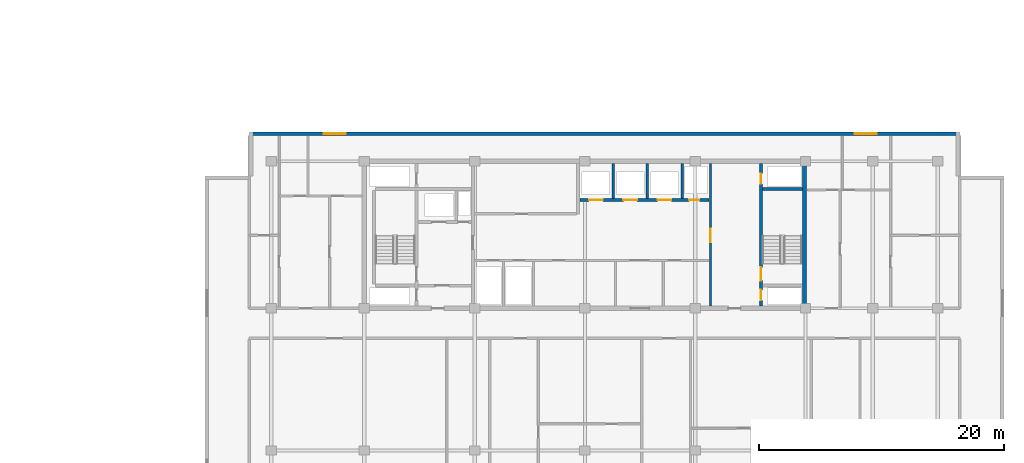
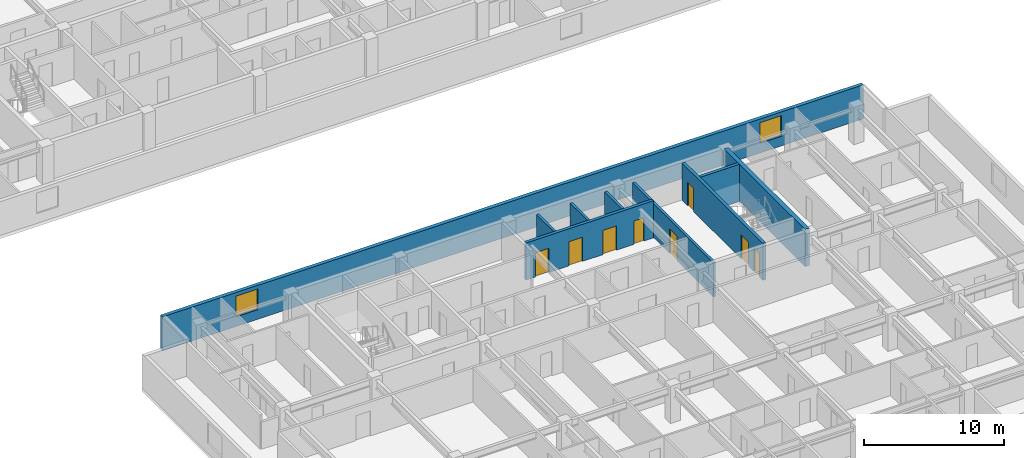
# One storey, part 7 of 21: 9 walls, 8 doors, 2 windows, 10 openings.
"""IFC4 building model written with IfcOpenShell, lengths in metres."""

from ifc_helpers import new_model, si_unit, direction, frame, frame_2d, origin, place, context, subcontext, project, spatial, rectangle, extrude, material, layer, layer_set, type_object, element, fill, save


model = new_model("IFC4")

# Units and contexts
model_context = context("Model", 3, precision=1e-05, world=origin(), true_north=direction((0.0, 1.0)))
body_context = subcontext(model_context, "Body", "Model", "MODEL_VIEW")
ifc_project = project(units=[si_unit("LENGTHUNIT", "METRE"), si_unit("AREAUNIT", "SQUARE_METRE"), si_unit("VOLUMEUNIT", "CUBIC_METRE"), si_unit("PLANEANGLEUNIT", "RADIAN"), si_unit("MASSUNIT", "GRAM", prefix="KILO")], contexts=[model_context])

# Site, building, storey
site_placement = place(None, origin())
site = spatial("IfcSite", under=ifc_project, at=site_placement, CompositionType="ELEMENT")
building_placement = place(site_placement, origin())
building = spatial("IfcBuilding", under=site, at=building_placement, Name="Korimba Cascade Residences", CompositionType="ELEMENT")
storey_placement = place(building_placement, frame((0.0, 0.0, 113.300048828125)))
storey = spatial("IfcBuildingStorey", under=building, at=storey_placement, Name="L32", CompositionType="ELEMENT", Elevation=113.300048828125)

# Wall, openings, windows
ifc_material_1 = material(Name="Precast concrete C40/50", Category="concrete")
ifc_layer_1 = layer(ifc_material_1, 0.300048828125)
ifc_layer_set_1 = layer_set([ifc_layer_1], Name="Precast concrete C40/50")
wall_type_1 = type_object("IfcWallType", Name="EW-STONE-300", PredefinedType="STANDARD", material=ifc_layer_set_1)
wall_1_placement = place(storey_placement, frame((130.699951171875, 32.64990234375, 0.0), z_axis=(0.0, 0.0, 1.0), x_axis=(-1.0, 0.0, 0.0)))
wall_1 = element("IfcWall", 1, at=wall_1_placement, inside=storey, type_object=wall_type_1, Name="L32 T2 Perimeter Stone Wall E06", PredefinedType="STANDARD", context=body_context, shape_type="SweptSolid", body=[
    extrude(rectangle(XDim=58.0, YDim=0.300048828125, at=frame_2d((29.0, 0.0))), origin(), (0.0, 0.0, 1.0), 2.969970703125),
])
opening_1_placement = place(wall_1_placement, frame((50.125, 0.0, 0.85009765625)))
opening_1 = element("IfcOpeningElement", 2, at=opening_1_placement, cuts=wall_1, Name="Opening W-02", PredefinedType="OPENING", context=body_context, shape_type="SweptSolid", body=[
    extrude(rectangle(XDim=1.800048828125, YDim=1.800048828125, at=frame_2d((0.89990234375, 0.89990234375))), frame((0.0, 0.16015625, 0.0), z_axis=(0.0, -1.0, 0.0), x_axis=(1.0, 0.0, 0.0)), (0.0, 0.0, 1.0), 0.320068359375),
])
opening_2_placement = place(wall_1_placement, frame((6.77490234375, 0.0, 0.85009765625)))
opening_2 = element("IfcOpeningElement", 3, at=opening_2_placement, cuts=wall_1, Name="Opening W-02", PredefinedType="OPENING", context=body_context, shape_type="SweptSolid", body=[
    extrude(rectangle(XDim=1.800048828125, YDim=1.800048828125, at=frame_2d((0.89990234375, 0.89990234375))), frame((0.0, 0.16015625, 0.0), z_axis=(0.0, -1.0, 0.0), x_axis=(1.0, 0.0, 0.0)), (0.0, 0.0, 1.0), 0.320068359375),
])
ifc_material_2 = material(Name="Double-Glazed Aluminium Window", Category="aluminium")
window_type = type_object("IfcWindowType", Name="WIN-BED-1800", PartitioningType="SINGLE_PANEL", PredefinedType="WINDOW", material=ifc_material_2)
window_1_placement = place(opening_1_placement, origin())
window_1 = element("IfcWindow", 4, at=window_1_placement, inside=storey, type_object=window_type, Name="L32 T2 North Corner Bedroom Window 1", OverallHeight=1.800048828125, OverallWidth=1.800048828125, PartitioningType="SINGLE_PANEL", PredefinedType="WINDOW", context=body_context, shape_type="SweptSolid", body=[
    extrude(rectangle(XDim=1.800048828125, YDim=1.800048828125, at=frame_2d((0.89990234375, 0.89990234375))), frame((0.0, 0.030029296875, 0.0), z_axis=(0.0, -1.0, 0.0), x_axis=(1.0, 0.0, 0.0)), (0.0, 0.0, 1.0), 0.06005859375),
])
fill(opening_1, window_1)
window_2_placement = place(opening_2_placement, origin())
window_2 = element("IfcWindow", 5, at=window_2_placement, inside=storey, type_object=window_type, Name="L32 T2 North Corner Bedroom Window 2", OverallHeight=1.800048828125, OverallWidth=1.800048828125, PartitioningType="SINGLE_PANEL", PredefinedType="WINDOW", context=body_context, shape_type="SweptSolid", body=[
    extrude(rectangle(XDim=1.800048828125, YDim=1.800048828125, at=frame_2d((0.89990234375, 0.89990234375))), frame((0.0, 0.030029296875, 0.0), z_axis=(0.0, -1.0, 0.0), x_axis=(1.0, 0.0, 0.0)), (0.0, 0.0, 1.0), 0.06005859375),
])
fill(opening_2, window_2)

# Walls
ifc_material_3 = material(Name="Concrete C65/80", Category="concrete")
ifc_layer_2 = layer(ifc_material_3, 0.35009765625)
ifc_layer_set_2 = layer_set([ifc_layer_2], Name="Concrete C65/80")
wall_type_2 = type_object("IfcWallType", Name="WAL-CORE-350", PredefinedType="SHEAR", material=ifc_layer_set_2)
wall_2_placement = place(storey_placement, frame((118.014892578125, 18.574951171875, 0.0), z_axis=(0.0, 0.0, 1.0), x_axis=(0.0, 1.0, 0.0)))
element("IfcWall", 6, at=wall_2_placement, inside=storey, type_object=wall_type_2, Name="L32 Core Shear Wall CW-L32-T2-E", PredefinedType="SHEAR", context=body_context, shape_type="SweptSolid", body=[
    extrude(rectangle(XDim=11.650146484375, YDim=0.35009765625, at=frame_2d((5.8251953125, 0.0))), origin(), (0.0, 0.0, 1.0), 3.25),
])
ifc_material_4 = material(Name="Concrete C40/50", Category="concrete")
ifc_layer_3 = layer(ifc_material_4, 0.199951171875)
ifc_layer_set_3 = layer_set([ifc_layer_3], Name="Concrete C40/50")
wall_type_3 = type_object("IfcWallType", Name="WAL-PART-200", PredefinedType="PARTITIONING", material=ifc_layer_set_3)
for number, where, z_axis, x_axis, name in (
    (7, (102.39990234375, 27.3798828125, 0.0), (0.0, 0.0, 1.0), (0.0, 1.0, 0.0), "L32 Partition Wall CW-L32-T2-B2D1"),
    (8, (105.199951171875, 27.3798828125, 0.0), (0.0, 0.0, 1.0), (0.0, 1.0, 0.0), "L32 Partition Wall CW-L32-T2-B2D2"),
    (9, (108.050048828125, 27.3798828125, 0.0), (0.0, 0.0, 1.0), (0.0, 1.0, 0.0), "L32 Partition Wall CW-L32-T2-B2D3"),
):
    element("IfcWall", number, at=place(storey_placement, frame(where, z_axis=z_axis, x_axis=x_axis)), inside=storey, type_object=wall_type_3, Name=name, PredefinedType="PARTITIONING", context=body_context, shape_type="SweptSolid", body=[
        extrude(rectangle(XDim=2.820068359375, YDim=0.199951171875, at=frame_2d((1.41015625, 0.0))), origin(), (0.0, 0.0, 1.0), 2.969970703125),
    ])

# Wall, opening, door
wall_3_placement = place(storey_placement, frame((110.35009765625, 18.60009765625, 0.0), z_axis=(0.0, 0.0, 1.0), x_axis=(0.0, 1.0, 0.0)))
wall_3 = element("IfcWall", 10, at=wall_3_placement, inside=storey, type_object=wall_type_3, Name="L32 Partition Wall CW-L32-T2-LLEV", PredefinedType="PARTITIONING", context=body_context, shape_type="SweptSolid", body=[
    extrude(rectangle(XDim=11.599853515625, YDim=0.199951171875, at=frame_2d((5.7998046875, 0.0))), origin(), (0.0, 0.0, 1.0), 2.969970703125),
])
opening_3_placement = place(wall_3_placement, frame((5.199951171875, 0.0, 0.0)))
opening_3 = element("IfcOpeningElement", 11, at=opening_3_placement, cuts=wall_3, Name="Opening D-FD6", PredefinedType="OPENING", context=body_context, shape_type="SweptSolid", body=[
    extrude(rectangle(XDim=1.10009765625, YDim=2.14990234375, at=frame_2d((0.550048828125, 1.074951171875))), frame((0.0, 0.10986328125, 0.0), z_axis=(0.0, -1.0, 0.0), x_axis=(1.0, 0.0, 0.0)), (0.0, 0.0, 1.0), 0.219970703125),
])
ifc_material_5 = material(Name="Fire-Rated Timber Stair Lobby Door", Category="wood")
door_type_1 = type_object("IfcDoorType", Name="DR-FD90-1100", OperationType="NOTDEFINED", PredefinedType="DOOR", material=ifc_material_5)
door_1_placement = place(opening_3_placement, origin())
door_1 = element("IfcDoor", 12, at=door_1_placement, inside=storey, type_object=door_type_1, Name="L32 T2 Lift Lobby to East Stair Lobby Door", OperationType="SINGLE_SWING_RIGHT", OverallHeight=2.14990234375, OverallWidth=1.10009765625, PredefinedType="DOOR", context=body_context, shape_type="SweptSolid", body=[
    extrude(rectangle(XDim=1.10009765625, YDim=2.14990234375, at=frame_2d((0.550048828125, 1.074951171875))), frame((0.0, 0.02490234375, 0.0), z_axis=(0.0, -1.0, 0.0), x_axis=(1.0, 0.0, 0.0)), (0.0, 0.0, 1.0), 0.050048828125),
])
fill(opening_3, door_1)

# Wall, openings, doors
ifc_material_6 = material(Name="Concrete C50/60", Category="concrete")
ifc_layer_4 = layer(ifc_material_6, 0.25)
ifc_layer_set_4 = layer_set([ifc_layer_4], Name="Concrete C50/60")
wall_type_4 = type_object("IfcWallType", Name="WAL-SHAFT-250", PredefinedType="SHEAR", material=ifc_layer_set_4)
wall_4_placement = place(storey_placement, frame((99.679931640625, 27.25, 0.0), z_axis=(0.0, 0.0, 1.0), x_axis=(1.0, 0.0, 0.0)))
wall_4 = element("IfcWall", 13, at=wall_4_placement, inside=storey, type_object=wall_type_4, Name="L32 Core Shear Wall CW-L32-T2-B2S", PredefinedType="SHEAR", context=body_context, shape_type="SweptSolid", body=[
    extrude(rectangle(XDim=10.5400390625, YDim=0.25, at=frame_2d((5.27001953125, 0.0))), origin(), (0.0, 0.0, 1.0), 3.25),
])
opening_4_placement = place(wall_4_placement, frame((0.760009765625, 0.0, 0.0)))
opening_4 = element("IfcOpeningElement", 14, at=opening_4_placement, cuts=wall_4, Name="Opening LD-01", PredefinedType="OPENING", context=body_context, shape_type="SweptSolid", body=[
    extrude(rectangle(XDim=1.1201171875, YDim=2.1201171875, at=frame_2d((0.56005859375, 1.06005859375))), frame((0.0, 0.135009765625, 0.0), z_axis=(0.0, -1.0, 0.0), x_axis=(1.0, 0.0, 0.0)), (0.0, 0.0, 1.0), 0.27001953125),
])
opening_5_placement = place(wall_4_placement, frame((3.56005859375, 0.0, 0.0)))
opening_5 = element("IfcOpeningElement", 15, at=opening_5_placement, cuts=wall_4, Name="Opening LD-01", PredefinedType="OPENING", context=body_context, shape_type="SweptSolid", body=[
    extrude(rectangle(XDim=1.1201171875, YDim=2.1201171875, at=frame_2d((0.56005859375, 1.06005859375))), frame((0.0, 0.135009765625, 0.0), z_axis=(0.0, -1.0, 0.0), x_axis=(1.0, 0.0, 0.0)), (0.0, 0.0, 1.0), 0.27001953125),
])
opening_6_placement = place(wall_4_placement, frame((6.360107421875, 0.0, 0.0)))
opening_6 = element("IfcOpeningElement", 16, at=opening_6_placement, cuts=wall_4, Name="Opening LD-01", PredefinedType="OPENING", context=body_context, shape_type="SweptSolid", body=[
    extrude(rectangle(XDim=1.1201171875, YDim=2.1201171875, at=frame_2d((0.56005859375, 1.06005859375))), frame((0.0, 0.135009765625, 0.0), z_axis=(0.0, -1.0, 0.0), x_axis=(1.0, 0.0, 0.0)), (0.0, 0.0, 1.0), 0.27001953125),
])
opening_7_placement = place(wall_4_placement, frame((8.919921875, 0.0, 0.0)))
opening_7 = element("IfcOpeningElement", 17, at=opening_7_placement, cuts=wall_4, Name="Opening D-RS1", PredefinedType="OPENING", context=body_context, shape_type="SweptSolid", body=[
    extrude(rectangle(XDim=0.85009765625, YDim=2.050048828125, at=frame_2d((0.425048828125, 1.02490234375))), frame((0.0, 0.135009765625, 0.0), z_axis=(0.0, -1.0, 0.0), x_axis=(1.0, 0.0, 0.0)), (0.0, 0.0, 1.0), 0.27001953125),
])
ifc_material_7 = material(Name="Fire-Rated Steel Riser Access Door", Category="steel")
door_type_2 = type_object("IfcDoorType", Name="DR-FD60-850", OperationType="NOTDEFINED", PredefinedType="DOOR", material=ifc_material_7)
door_2_placement = place(opening_7_placement, origin())
door_2 = element("IfcDoor", 18, at=door_2_placement, inside=storey, type_object=door_type_2, Name="L32 T2 Duct Door", OperationType="SINGLE_SWING_LEFT", OverallHeight=2.050048828125, OverallWidth=0.85009765625, PredefinedType="DOOR", context=body_context, shape_type="SweptSolid", body=[
    extrude(rectangle(XDim=0.85009765625, YDim=2.050048828125, at=frame_2d((0.425048828125, 1.02490234375))), frame((0.0, 0.02490234375, 0.0), z_axis=(0.0, -1.0, 0.0), x_axis=(1.0, 0.0, 0.0)), (0.0, 0.0, 1.0), 0.050048828125),
])
fill(opening_7, door_2)
ifc_material_8 = material(Name="Stainless Steel Lift Landing Sliding Door", Category="steel")
door_type_3 = type_object("IfcDoorType", Name="DR-LIFT-1100", OperationType="NOTDEFINED", PredefinedType="DOOR", material=ifc_material_8)
door_3_placement = place(opening_4_placement, origin())
door_3 = element("IfcDoor", 19, at=door_3_placement, inside=storey, type_object=door_type_3, Name="L32 Lift Landing Door PL-E4", OperationType="SLIDING_TO_RIGHT", OverallHeight=2.1201171875, OverallWidth=1.1201171875, PredefinedType="DOOR", context=body_context, shape_type="SweptSolid", body=[
    extrude(rectangle(XDim=1.1201171875, YDim=2.1201171875, at=frame_2d((0.56005859375, 1.06005859375))), frame((0.0, 0.02490234375, 0.0), z_axis=(0.0, -1.0, 0.0), x_axis=(1.0, 0.0, 0.0)), (0.0, 0.0, 1.0), 0.050048828125),
])
fill(opening_4, door_3)
door_4_placement = place(opening_5_placement, origin())
door_4 = element("IfcDoor", 20, at=door_4_placement, inside=storey, type_object=door_type_3, Name="L32 Lift Landing Door PL-E5", OperationType="SLIDING_TO_RIGHT", OverallHeight=2.1201171875, OverallWidth=1.1201171875, PredefinedType="DOOR", context=body_context, shape_type="SweptSolid", body=[
    extrude(rectangle(XDim=1.1201171875, YDim=2.1201171875, at=frame_2d((0.56005859375, 1.06005859375))), frame((0.0, 0.02490234375, 0.0), z_axis=(0.0, -1.0, 0.0), x_axis=(1.0, 0.0, 0.0)), (0.0, 0.0, 1.0), 0.050048828125),
])
fill(opening_5, door_4)
door_5_placement = place(opening_6_placement, origin())
door_5 = element("IfcDoor", 21, at=door_5_placement, inside=storey, type_object=door_type_3, Name="L32 Lift Landing Door PL-E6", OperationType="SLIDING_TO_RIGHT", OverallHeight=2.1201171875, OverallWidth=1.1201171875, PredefinedType="DOOR", context=body_context, shape_type="SweptSolid", body=[
    extrude(rectangle(XDim=1.1201171875, YDim=2.1201171875, at=frame_2d((0.56005859375, 1.06005859375))), frame((0.0, 0.02490234375, 0.0), z_axis=(0.0, -1.0, 0.0), x_axis=(1.0, 0.0, 0.0)), (0.0, 0.0, 1.0), 0.050048828125),
])
fill(opening_6, door_5)

wall_5_placement = place(storey_placement, frame((114.47509765625, 18.60009765625, 0.0), z_axis=(0.0, 0.0, 1.0), x_axis=(0.0, 1.0, 0.0)))
wall_5 = element("IfcWall", 22, at=wall_5_placement, inside=storey, type_object=wall_type_4, Name="L32 Core Shear Wall CW-L32-T2-STE2W", PredefinedType="SHEAR", context=body_context, shape_type="SweptSolid", body=[
    extrude(rectangle(XDim=11.599853515625, YDim=0.25, at=frame_2d((5.7998046875, 0.0))), origin(), (0.0, 0.0, 1.0), 3.25),
])
opening_8_placement = place(wall_5_placement, frame((0.449951171875, 0.0, 0.0)))
opening_8 = element("IfcOpeningElement", 23, at=opening_8_placement, cuts=wall_5, Name="Opening D-RS1", PredefinedType="OPENING", context=body_context, shape_type="SweptSolid", body=[
    extrude(rectangle(XDim=0.85009765625, YDim=2.050048828125, at=frame_2d((0.425048828125, 1.02490234375))), frame((0.0, 0.135009765625, 0.0), z_axis=(0.0, -1.0, 0.0), x_axis=(1.0, 0.0, 0.0)), (0.0, 0.0, 1.0), 0.27001953125),
])
opening_9_placement = place(wall_5_placement, frame((2.050048828125, 0.0, 0.0)))
opening_9 = element("IfcOpeningElement", 24, at=opening_9_placement, cuts=wall_5, Name="Opening D-FD1", PredefinedType="OPENING", context=body_context, shape_type="SweptSolid", body=[
    extrude(rectangle(XDim=1.10009765625, YDim=2.10009765625, at=frame_2d((0.550048828125, 1.050048828125))), frame((0.0, 0.135009765625, 0.0), z_axis=(0.0, -1.0, 0.0), x_axis=(1.0, 0.0, 0.0)), (0.0, 0.0, 1.0), 0.27001953125),
])
opening_10_placement = place(wall_5_placement, frame((9.949951171875, 0.0, 0.0)))
opening_10 = element("IfcOpeningElement", 25, at=opening_10_placement, cuts=wall_5, Name="Opening D-RS1", PredefinedType="OPENING", context=body_context, shape_type="SweptSolid", body=[
    extrude(rectangle(XDim=0.85009765625, YDim=2.050048828125, at=frame_2d((0.425048828125, 1.02490234375))), frame((0.0, 0.135009765625, 0.0), z_axis=(0.0, -1.0, 0.0), x_axis=(1.0, 0.0, 0.0)), (0.0, 0.0, 1.0), 0.27001953125),
])
ifc_material_9 = material(Name="Fire-Rated Steel Core Door", Category="steel")
door_type_4 = type_object("IfcDoorType", Name="DR-FD120-1100", OperationType="NOTDEFINED", PredefinedType="DOOR", material=ifc_material_9)
door_6_placement = place(opening_9_placement, origin())
door_6 = element("IfcDoor", 26, at=door_6_placement, inside=storey, type_object=door_type_4, Name="L32 Fire Stair ST-E2 Door", OperationType="SINGLE_SWING_RIGHT", OverallHeight=2.10009765625, OverallWidth=1.10009765625, PredefinedType="DOOR", context=body_context, shape_type="SweptSolid", body=[
    extrude(rectangle(XDim=1.10009765625, YDim=2.10009765625, at=frame_2d((0.550048828125, 1.050048828125))), frame((0.0, 0.02490234375, 0.0), z_axis=(0.0, -1.0, 0.0), x_axis=(1.0, 0.0, 0.0)), (0.0, 0.0, 1.0), 0.050048828125),
])
fill(opening_9, door_6)
door_7_placement = place(opening_8_placement, origin())
door_7 = element("IfcDoor", 27, at=door_7_placement, inside=storey, type_object=door_type_2, Name="L32 T2 East Hydrant Door", OperationType="SINGLE_SWING_LEFT", OverallHeight=2.050048828125, OverallWidth=0.85009765625, PredefinedType="DOOR", context=body_context, shape_type="SweptSolid", body=[
    extrude(rectangle(XDim=0.85009765625, YDim=2.050048828125, at=frame_2d((0.425048828125, 1.02490234375))), frame((0.0, 0.02490234375, 0.0), z_axis=(0.0, -1.0, 0.0), x_axis=(1.0, 0.0, 0.0)), (0.0, 0.0, 1.0), 0.050048828125),
])
fill(opening_8, door_7)
door_8_placement = place(opening_10_placement, origin())
door_8 = element("IfcDoor", 28, at=door_8_placement, inside=storey, type_object=door_type_2, Name="L32 T2 East Riser Door", OperationType="SINGLE_SWING_LEFT", OverallHeight=2.050048828125, OverallWidth=0.85009765625, PredefinedType="DOOR", context=body_context, shape_type="SweptSolid", body=[
    extrude(rectangle(XDim=0.85009765625, YDim=2.050048828125, at=frame_2d((0.425048828125, 1.02490234375))), frame((0.0, 0.02490234375, 0.0), z_axis=(0.0, -1.0, 0.0), x_axis=(1.0, 0.0, 0.0)), (0.0, 0.0, 1.0), 0.050048828125),
])
fill(opening_10, door_8)

# Wall
wall_6_placement = place(storey_placement, frame((114.60009765625, 28.125, 0.0), z_axis=(0.0, 0.0, 1.0), x_axis=(1.0, 0.0, 0.0)))
element("IfcWall", 29, at=wall_6_placement, inside=storey, type_object=wall_type_4, Name="L32 Core Shear Wall CW-L32-T2-STE2N", PredefinedType="SHEAR", context=body_context, shape_type="SweptSolid", body=[
    extrude(rectangle(XDim=3.239990234375, YDim=0.25, at=frame_2d((1.6201171875, 0.0))), origin(), (0.0, 0.0, 1.0), 3.25),
])

save(model, "model.ifc")
